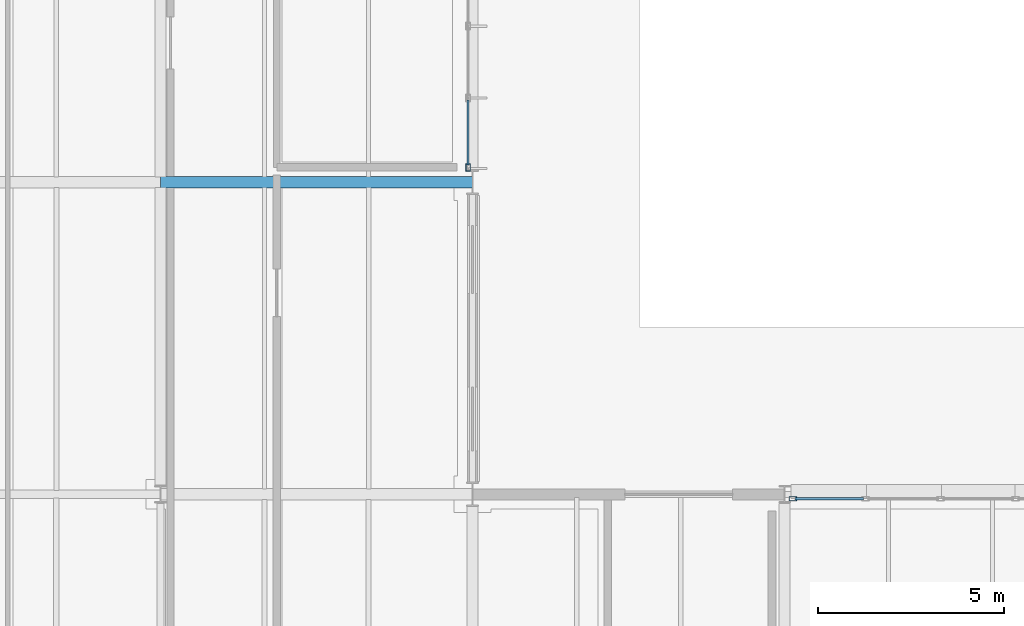
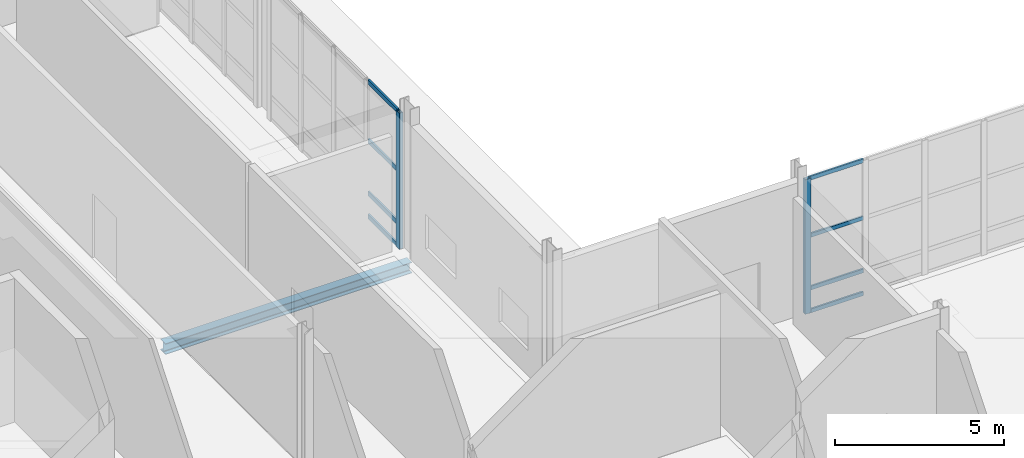
# One storey, part 28 of 124: 10 members, 1 beam, 2 elements without a shape of their own.
"""IFC4 building model written with IfcOpenShell, lengths in metres."""

from ifc_helpers import new_model, si_unit, direction, frame, origin, origin_2d, place, context, subcontext, project, spatial, hollow_rectangle, i_section, extrude, material, material_profile, profile_set, type_object, element, aggregate, save


model = new_model("IFC4")

# Units and contexts
model_context = context("Model", 3, precision=1e-05, world=origin(), true_north=direction((0.0, 1.0)))
body_context = subcontext(model_context, "Body", "Model", "MODEL_VIEW")
ifc_project = project(units=[si_unit("LENGTHUNIT", "METRE"), si_unit("AREAUNIT", "SQUARE_METRE"), si_unit("VOLUMEUNIT", "CUBIC_METRE"), si_unit("PLANEANGLEUNIT", "RADIAN"), si_unit("MASSUNIT", "GRAM", prefix="KILO")], contexts=[model_context])

# Site, building, storey
site_placement = place(None, origin())
site = spatial("IfcSite", under=ifc_project, at=site_placement, CompositionType="ELEMENT")
building_placement = place(site_placement, origin())
building = spatial("IfcBuilding", under=site, at=building_placement, Name="Mersafa Astral City Hall", CompositionType="ELEMENT")
storey_placement = place(building_placement, origin())
storey = spatial("IfcBuildingStorey", under=building, at=storey_placement, Name="L00", CompositionType="ELEMENT", Elevation=0.0)

# Curtain wall, member
ifc_material_1 = material(Name="Anodised bronze aluminium framing", Category="aluminium")
curtain_wall_type_1 = type_object("IfcCurtainWallType", Name="ENV-CW-2", PredefinedType="USERDEFINED", material=ifc_material_1)
curtain_wall_1_placement = place(storey_placement, origin())
curtain_wall_1 = element("IfcCurtainWall", 1, at=curtain_wall_1_placement, inside=storey, type_object=curtain_wall_type_1, Name="L00 Unitised solar curtain wall 7", ObjectType="UNITISED CURTAIN WALL", PredefinedType="USERDEFINED")
ifc_material_profile_1 = material_profile(ifc_material_1, hollow_rectangle(XDim=0.1201171875, YDim=0.199951171875, WallThickness=0.008056640625, at=origin_2d()), Name="RHS 120x200x8")
ifc_profile_set_1 = profile_set([ifc_material_profile_1], Name="Anodised bronze aluminium framing")
member_type_1 = type_object("IfcMemberType", Name="ENV-CW-MUL-2", PredefinedType="MULLION", material=ifc_profile_set_1)
member_1_placement = place(storey_placement, frame((126.221923828125, 33.47998046875, -0.001953125), z_axis=(0.0, 0.0, 1.0), x_axis=(0.0, -1.0, 0.0)))
member_1 = element("IfcMember", 2, at=member_1_placement, type_object=member_type_1, Name="CW-2 mullion 5", PredefinedType="MULLION", context=body_context, shape_type="SweptSolid", body=[
    extrude(hollow_rectangle(XDim=0.1201171875, YDim=0.199951171875, WallThickness=0.008056640625, at=origin_2d()), origin(), (0.0, 0.0, 1.0), 4.843994140625),
])

curtain_wall_type_2 = type_object("IfcCurtainWallType", Name="ENV-CW-3", PredefinedType="USERDEFINED", material=ifc_material_1)
curtain_wall_2_placement = place(storey_placement, origin())
curtain_wall_2 = element("IfcCurtainWall", 3, at=curtain_wall_2_placement, inside=storey, type_object=curtain_wall_type_2, Name="L00 Unitised solar curtain wall 8", ObjectType="UNITISED CURTAIN WALL", PredefinedType="USERDEFINED")
member_2_placement = place(storey_placement, frame((117.47998046875, 42.39697265625, -0.001953125), z_axis=(0.0, 0.0, 1.0), x_axis=(-1.0, 0.0, 0.0)))
member_2 = element("IfcMember", 4, at=member_2_placement, type_object=member_type_1, Name="CW-3 mullion 1", PredefinedType="MULLION", context=body_context, shape_type="SweptSolid", body=[
    extrude(hollow_rectangle(XDim=0.1201171875, YDim=0.199951171875, WallThickness=0.008056640625, at=origin_2d()), origin(), (0.0, 0.0, 1.0), 4.904052734375),
])

# Member
ifc_material_profile_2 = material_profile(ifc_material_1, hollow_rectangle(XDim=0.06005859375, YDim=0.139892578125, WallThickness=0.00390625, at=origin_2d()), Name="RHS 60x140x4")
ifc_profile_set_2 = profile_set([ifc_material_profile_2], Name="Anodised bronze aluminium framing")
member_type_2 = type_object("IfcMemberType", Name="ENV-CW-TRN-1", PredefinedType="USERDEFINED", material=ifc_profile_set_2)
member_3_placement = place(storey_placement, frame((128.12109375, 33.47998046875, 0.028076171875), z_axis=(-1.0, 0.0, 0.0), x_axis=(0.0, -1.0, 0.0)))
member_3 = element("IfcMember", 5, at=member_3_placement, type_object=member_type_2, Name="CW-2 transom 4.1", ObjectType="TRANSOM", PredefinedType="USERDEFINED", context=body_context, shape_type="SweptSolid", body=[
    extrude(hollow_rectangle(XDim=0.06005859375, YDim=0.139892578125, WallThickness=0.00390625, at=origin_2d()), origin(), (0.0, 0.0, 1.0), 1.839111328125),
])

member_4_placement = place(storey_placement, frame((128.12109375, 33.47998046875, 0.85009765625), z_axis=(-1.0, 0.0, 0.0), x_axis=(0.0, -1.0, 0.0)))
member_4 = element("IfcMember", 6, at=member_4_placement, type_object=member_type_2, Name="CW-2 transom 4.2", ObjectType="TRANSOM", PredefinedType="USERDEFINED", context=body_context, shape_type="SweptSolid", body=[
    extrude(hollow_rectangle(XDim=0.06005859375, YDim=0.139892578125, WallThickness=0.00390625, at=origin_2d()), origin(), (0.0, 0.0, 1.0), 1.839111328125),
])

member_5_placement = place(storey_placement, frame((128.12109375, 33.47998046875, 2.75), z_axis=(-1.0, 0.0, 0.0), x_axis=(0.0, -1.0, 0.0)))
member_5 = element("IfcMember", 7, at=member_5_placement, type_object=member_type_2, Name="CW-2 transom 4.3", ObjectType="TRANSOM", PredefinedType="USERDEFINED", context=body_context, shape_type="SweptSolid", body=[
    extrude(hollow_rectangle(XDim=0.06005859375, YDim=0.139892578125, WallThickness=0.00390625, at=origin_2d()), origin(), (0.0, 0.0, 1.0), 1.839111328125),
])

member_6_placement = place(storey_placement, frame((128.12109375, 33.47998046875, 4.81201171875), z_axis=(-1.0, 0.0, 0.0), x_axis=(0.0, -1.0, 0.0)))
member_6 = element("IfcMember", 8, at=member_6_placement, type_object=member_type_2, Name="CW-2 transom 4.4", ObjectType="TRANSOM", PredefinedType="USERDEFINED", context=body_context, shape_type="SweptSolid", body=[
    extrude(hollow_rectangle(XDim=0.06005859375, YDim=0.139892578125, WallThickness=0.00390625, at=origin_2d()), origin(), (0.0, 0.0, 1.0), 1.839111328125),
])

aggregate(curtain_wall_1, [member_1, member_3, member_4, member_5, member_6])

ifc_material_profile_3 = material_profile(ifc_material_1, hollow_rectangle(XDim=0.06005859375, YDim=0.159912109375, WallThickness=0.00390625, at=origin_2d()), Name="RHS 60x160x4")
ifc_profile_set_3 = profile_set([ifc_material_profile_3], Name="Anodised bronze aluminium framing")
member_type_3 = type_object("IfcMemberType", Name="ENV-CW-TRN-2", PredefinedType="USERDEFINED", material=ifc_profile_set_3)
member_7_placement = place(storey_placement, frame((117.47998046875, 42.45703125, 0.028076171875), z_axis=(0.0, 1.0, 0.0), x_axis=(-1.0, 0.0, 0.0)))
member_7 = element("IfcMember", 9, at=member_7_placement, type_object=member_type_3, Name="CW-3 transom 1.1", ObjectType="TRANSOM", PredefinedType="USERDEFINED", context=body_context, shape_type="SweptSolid", body=[
    extrude(hollow_rectangle(XDim=0.06005859375, YDim=0.159912109375, WallThickness=0.00390625, at=origin_2d()), origin(), (0.0, 0.0, 1.0), 1.75146484375),
])

member_8_placement = place(storey_placement, frame((117.47998046875, 42.45703125, 0.85009765625), z_axis=(0.0, 1.0, 0.0), x_axis=(-1.0, 0.0, 0.0)))
member_8 = element("IfcMember", 10, at=member_8_placement, type_object=member_type_3, Name="CW-3 transom 1.2", ObjectType="TRANSOM", PredefinedType="USERDEFINED", context=body_context, shape_type="SweptSolid", body=[
    extrude(hollow_rectangle(XDim=0.06005859375, YDim=0.159912109375, WallThickness=0.00390625, at=origin_2d()), origin(), (0.0, 0.0, 1.0), 1.75146484375),
])

member_9_placement = place(storey_placement, frame((117.47998046875, 42.45703125, 2.75), z_axis=(0.0, 1.0, 0.0), x_axis=(-1.0, 0.0, 0.0)))
member_9 = element("IfcMember", 11, at=member_9_placement, type_object=member_type_3, Name="CW-3 transom 1.3", ObjectType="TRANSOM", PredefinedType="USERDEFINED", context=body_context, shape_type="SweptSolid", body=[
    extrude(hollow_rectangle(XDim=0.06005859375, YDim=0.159912109375, WallThickness=0.00390625, at=origin_2d()), origin(), (0.0, 0.0, 1.0), 1.75146484375),
])

member_10_placement = place(storey_placement, frame((117.47998046875, 42.45703125, 4.8720703125), z_axis=(0.0, 1.0, 0.0), x_axis=(-1.0, 0.0, 0.0)))
member_10 = element("IfcMember", 12, at=member_10_placement, type_object=member_type_3, Name="CW-3 transom 1.4", ObjectType="TRANSOM", PredefinedType="USERDEFINED", context=body_context, shape_type="SweptSolid", body=[
    extrude(hollow_rectangle(XDim=0.06005859375, YDim=0.159912109375, WallThickness=0.00390625, at=origin_2d()), origin(), (0.0, 0.0, 1.0), 1.75146484375),
])

aggregate(curtain_wall_2, [member_2, member_7, member_8, member_9, member_10])

# Beam
ifc_material_2 = material(Name="Steel S355", Category="steel")
ifc_material_profile_4 = material_profile(ifc_material_2, i_section(OverallWidth=0.300048828125, OverallDepth=0.389892578125, WebThickness=0.010986328125, FlangeThickness=0.01904296875, FilletRadius=0.027099609375, at=origin_2d()), Name="HEA 400")
ifc_profile_set_4 = profile_set([ifc_material_profile_4], Name="Steel S355")
beam_type = type_object("IfcBeamType", Name="STR-BM-HEA400", PredefinedType="BEAM", material=ifc_profile_set_4)
beam_placement = place(storey_placement, frame((109.202880859375, 42.0, -0.445068359375), z_axis=(1.0, 0.0, 0.0), x_axis=(0.0, 1.0, 0.0)))
element("IfcBeam", 13, at=beam_placement, inside=storey, type_object=beam_type, Name="L00 Primary girder X 13-5", PredefinedType="BEAM", context=body_context, shape_type="SweptSolid", body=[
    extrude(i_section(OverallWidth=0.300048828125, OverallDepth=0.389892578125, WebThickness=0.010986328125, FlangeThickness=0.01904296875, FilletRadius=0.027099609375, at=origin_2d()), origin(), (0.0, 0.0, 1.0), 8.39404296875),
])

save(model, "model.ifc")
